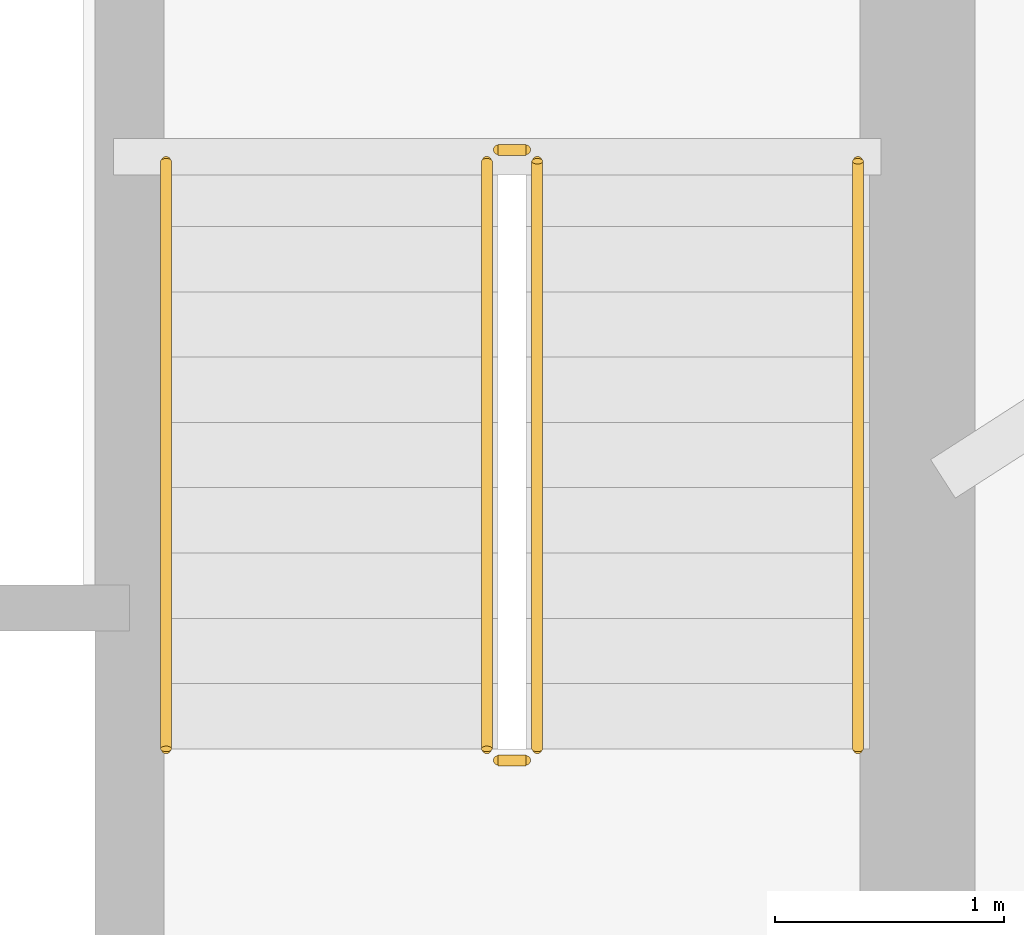
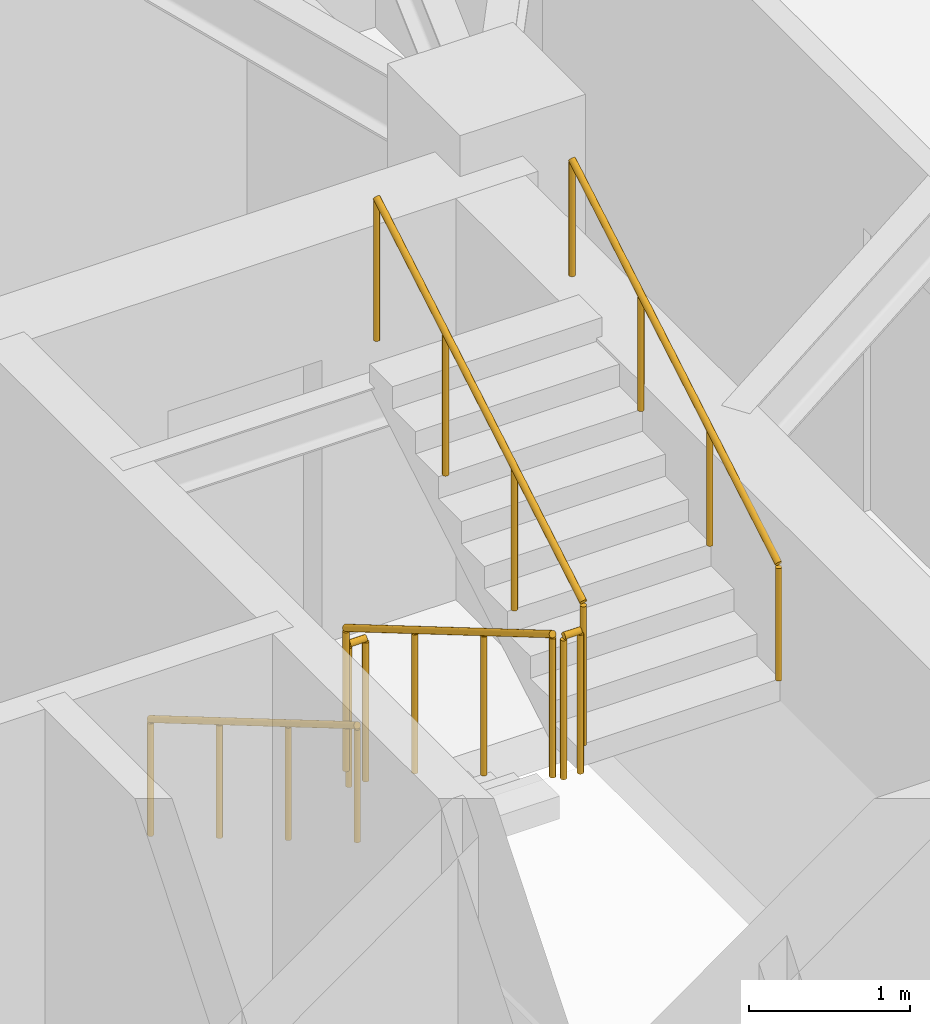
# One storey, part 17 of 17: 6 railings.
"""IFC4 building model written with IfcOpenShell, lengths in metres."""

from ifc_helpers import new_model, si_unit, direction, frame, origin, origin_2d, place, context, subcontext, project, spatial, circle, extrude, material, type_object, element, save


model = new_model("IFC4")

# Units and contexts
model_context = context("Model", 3, precision=1e-05, world=origin(), true_north=direction((0.0, 1.0)))
body_context = subcontext(model_context, "Body", "Model", "MODEL_VIEW")
ifc_project = project(units=[si_unit("LENGTHUNIT", "METRE"), si_unit("AREAUNIT", "SQUARE_METRE"), si_unit("VOLUMEUNIT", "CUBIC_METRE"), si_unit("PLANEANGLEUNIT", "RADIAN"), si_unit("MASSUNIT", "GRAM", prefix="KILO")], contexts=[model_context])

# Site, building, storey
site_placement = place(None, origin())
site = spatial("IfcSite", under=ifc_project, at=site_placement, CompositionType="ELEMENT")
building_placement = place(site_placement, origin())
building = spatial("IfcBuilding", under=site, at=building_placement, Name="Qobustan Lattice House", CompositionType="ELEMENT")
storey_placement = place(building_placement, frame((0.0, 0.0, 164.5)))
storey = spatial("IfcBuildingStorey", under=building, at=storey_placement, Name="L46", CompositionType="ELEMENT", Elevation=164.5)

# Railings
ifc_material_1 = material(Name="Brushed stainless steel handrail", Category="steel")
railing_type_1 = type_object("IfcRailingType", Name="RAL-HR-920", PredefinedType="HANDRAIL", material=ifc_material_1)
railing_1_placement = place(storey_placement, frame((15.179931640625, 3.5, 0.16748046875)))
element("IfcRailing", 1, at=railing_1_placement, inside=storey, type_object=railing_type_1, Name="L46 ST-E1 stair handrail 1", PredefinedType="HANDRAIL", context=body_context, shape_type="SweptSolid", body=[
    extrude(circle(Radius=0.02392578125, at=origin_2d()), frame((0.0, 0.0, 0.8759765625), z_axis=(0.0, -0.862113467892, 0.50671527358), x_axis=(1.0, 0.0, 0.0)), (0.0, 0.0, 1.0), 2.97509765625),
    extrude(circle(Radius=0.02099609375, at=origin_2d()), origin(), (0.0, 0.0, 1.0), 0.851806640625),
    extrude(circle(Radius=0.02099609375, at=origin_2d()), frame((0.0, -0.85498046875, 0.50244140625)), (0.0, 0.0, 1.0), 0.851806640625),
    extrude(circle(Radius=0.02099609375, at=origin_2d()), frame((0.0, -1.7099609375, 1.005126953125)), (0.0, 0.0, 1.0), 0.851806640625),
    extrude(circle(Radius=0.02099609375, at=origin_2d()), frame((0.0, -2.56494140625, 1.507568359375)), (0.0, 0.0, 1.0), 0.851806640625),
])
railing_2_placement = place(storey_placement, frame((18.199951171875, 0.93505859375, 1.842529296875)))
element("IfcRailing", 2, at=railing_2_placement, inside=storey, type_object=railing_type_1, Name="L46 ST-E1 stair handrail 2", PredefinedType="HANDRAIL", context=body_context, shape_type="SweptSolid", body=[
    extrude(circle(Radius=0.02392578125, at=origin_2d()), frame((0.0, 0.0, 0.8759765625), z_axis=(0.0, 0.862113467892, 0.50671527358), x_axis=(-1.0, 0.0, 0.0)), (0.0, 0.0, 1.0), 2.97509765625),
    extrude(circle(Radius=0.02099609375, at=origin_2d()), origin(), (0.0, 0.0, 1.0), 0.851806640625),
    extrude(circle(Radius=0.02099609375, at=origin_2d()), frame((0.0, 0.85498046875, 0.50244140625)), (0.0, 0.0, 1.0), 0.851806640625),
    extrude(circle(Radius=0.02099609375, at=origin_2d()), frame((0.0, 1.7099609375, 1.005126953125)), (0.0, 0.0, 1.0), 0.851806640625),
    extrude(circle(Radius=0.02099609375, at=origin_2d()), frame((0.0, 2.56494140625, 1.507568359375)), (0.0, 0.0, 1.0), 0.851806640625),
])
ifc_material_2 = material(Name="Painted galvanized steel guardrail", Category="steel")
railing_type_2 = type_object("IfcRailingType", Name="RAL-STG-1150", PredefinedType="GUARDRAIL", material=ifc_material_2)
railing_3_placement = place(storey_placement, frame((16.580078125, 3.5, 0.16748046875)))
element("IfcRailing", 3, at=railing_3_placement, inside=storey, type_object=railing_type_2, Name="L46 ST-E1 stair guard 1", PredefinedType="GUARDRAIL", context=body_context, shape_type="SweptSolid", body=[
    extrude(circle(Radius=0.02392578125, at=origin_2d()), frame((0.0, 0.0, 1.076171875), z_axis=(0.0, -0.862113467892, 0.50671527358), x_axis=(1.0, 0.0, 0.0)), (0.0, 0.0, 1.0), 2.97509765625),
    extrude(circle(Radius=0.02099609375, at=origin_2d()), origin(), (0.0, 0.0, 1.0), 1.052001953125),
    extrude(circle(Radius=0.02099609375, at=origin_2d()), frame((0.0, -0.85498046875, 0.50244140625)), (0.0, 0.0, 1.0), 1.052001953125),
    extrude(circle(Radius=0.02099609375, at=origin_2d()), frame((0.0, -1.7099609375, 1.005126953125)), (0.0, 0.0, 1.0), 1.052001953125),
    extrude(circle(Radius=0.02099609375, at=origin_2d()), frame((0.0, -2.56494140625, 1.507568359375)), (0.0, 0.0, 1.0), 1.052001953125),
])
railing_4_placement = place(storey_placement, frame((16.6298828125, 0.885009765625, 1.675048828125)))
element("IfcRailing", 4, at=railing_4_placement, inside=storey, type_object=railing_type_2, Name="L46 ST-E1 stair guard 2", PredefinedType="GUARDRAIL", context=body_context, shape_type="SweptSolid", body=[
    extrude(circle(Radius=0.02392578125, at=origin_2d()), frame((0.0, 0.0, 1.076171875), z_axis=(1.0, 0.0, 0.0), x_axis=(0.0, 1.0, 0.0)), (0.0, 0.0, 1.0), 0.1201171875),
    extrude(circle(Radius=0.02099609375, at=origin_2d()), origin(), (0.0, 0.0, 1.0), 1.052001953125),
    extrude(circle(Radius=0.02099609375, at=origin_2d()), frame((0.1201171875, 0.0, 0.0)), (0.0, 0.0, 1.0), 1.052001953125),
])
railing_5_placement = place(storey_placement, frame((16.800048828125, 0.93505859375, 1.842529296875)))
element("IfcRailing", 5, at=railing_5_placement, inside=storey, type_object=railing_type_2, Name="L46 ST-E1 stair guard 3", PredefinedType="GUARDRAIL", context=body_context, shape_type="SweptSolid", body=[
    extrude(circle(Radius=0.02392578125, at=origin_2d()), frame((0.0, 0.0, 1.076171875), z_axis=(0.0, 0.862113467892, 0.50671527358), x_axis=(-1.0, 0.0, 0.0)), (0.0, 0.0, 1.0), 2.97509765625),
    extrude(circle(Radius=0.02099609375, at=origin_2d()), origin(), (0.0, 0.0, 1.0), 1.052001953125),
    extrude(circle(Radius=0.02099609375, at=origin_2d()), frame((0.0, 0.85498046875, 0.50244140625)), (0.0, 0.0, 1.0), 1.052001953125),
    extrude(circle(Radius=0.02099609375, at=origin_2d()), frame((0.0, 1.7099609375, 1.005126953125)), (0.0, 0.0, 1.0), 1.052001953125),
    extrude(circle(Radius=0.02099609375, at=origin_2d()), frame((0.0, 2.56494140625, 1.507568359375)), (0.0, 0.0, 1.0), 1.052001953125),
])
railing_6_placement = place(storey_placement, frame((16.6298828125, 3.550048828125, 0.0)))
element("IfcRailing", 6, at=railing_6_placement, inside=storey, type_object=railing_type_2, Name="L46 ST-E1 stair guard 4", PredefinedType="GUARDRAIL", context=body_context, shape_type="SweptSolid", body=[
    extrude(circle(Radius=0.02392578125, at=origin_2d()), frame((0.0, 0.0, 1.076171875), z_axis=(1.0, 0.0, 0.0), x_axis=(0.0, 1.0, 0.0)), (0.0, 0.0, 1.0), 0.1201171875),
    extrude(circle(Radius=0.02099609375, at=origin_2d()), origin(), (0.0, 0.0, 1.0), 1.052001953125),
    extrude(circle(Radius=0.02099609375, at=origin_2d()), frame((0.1201171875, 0.0, 0.0)), (0.0, 0.0, 1.0), 1.052001953125),
])

save(model, "model.ifc")
